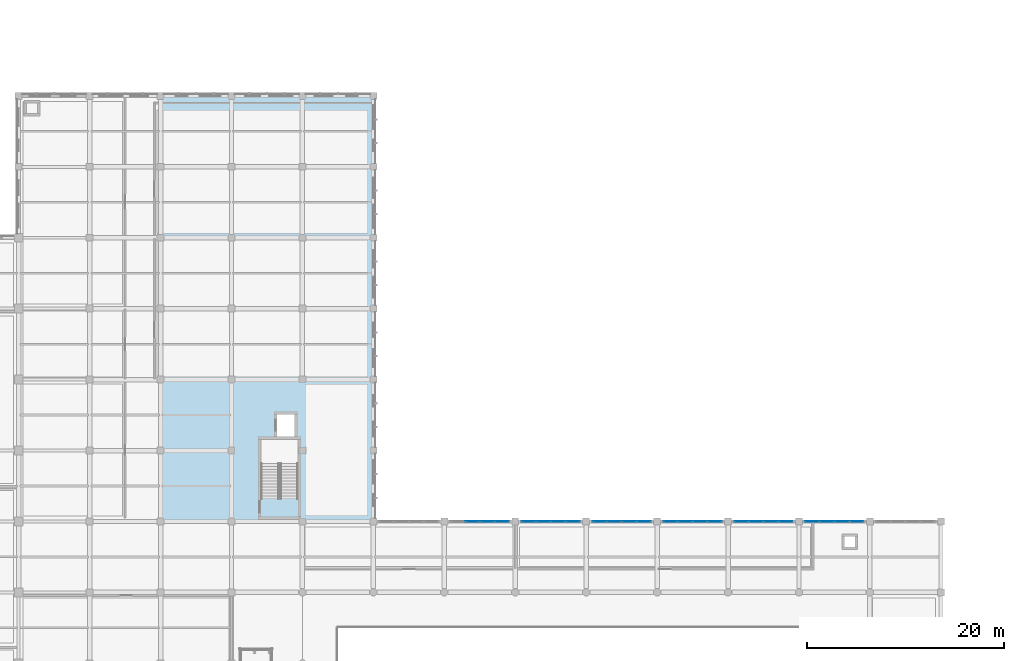
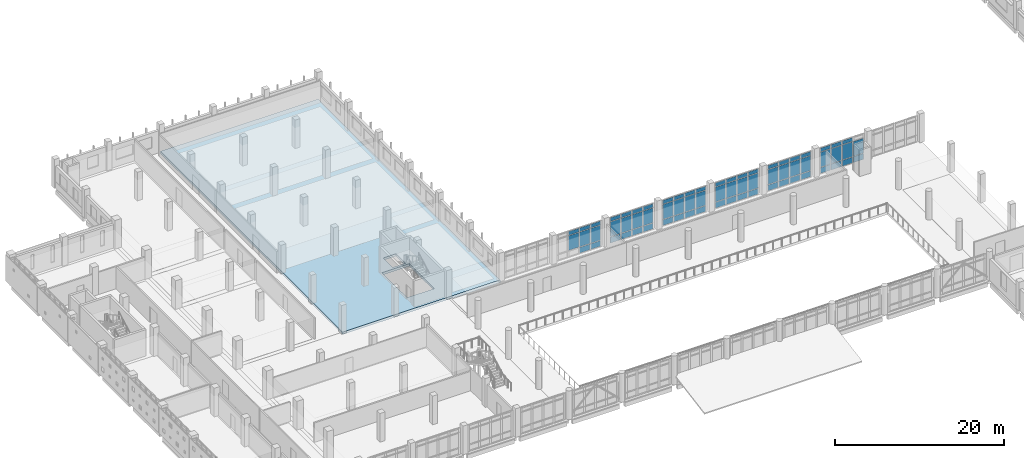
# One storey, part 27 of 57: 67 plates, 1 slab, 6 elements without a shape of their own.
"""IFC4 building model written with IfcOpenShell, lengths in metres."""

from ifc_helpers import new_model, si_unit, direction, frame, origin, origin_2d, place, context, subcontext, project, spatial, polyline, rectangle, outline, extrude, material, layer, layer_set, type_object, element, aggregate, save


model = new_model("IFC4")

# Units and contexts
model_context = context("Model", 3, precision=1e-05, world=origin(), true_north=direction((0.0, 1.0)))
body_context = subcontext(model_context, "Body", "Model", "MODEL_VIEW")
ifc_project = project(units=[si_unit("LENGTHUNIT", "METRE"), si_unit("AREAUNIT", "SQUARE_METRE"), si_unit("VOLUMEUNIT", "CUBIC_METRE"), si_unit("PLANEANGLEUNIT", "RADIAN"), si_unit("MASSUNIT", "GRAM", prefix="KILO")], contexts=[model_context])

# Site, building, storey
site_placement = place(None, origin())
site = spatial("IfcSite", under=ifc_project, at=site_placement, CompositionType="ELEMENT")
building_placement = place(site_placement, origin())
building = spatial("IfcBuilding", under=site, at=building_placement, Name="Valkovuoma Quantum and Materials Research Institute", CompositionType="ELEMENT")
storey_placement = place(building_placement, frame((0.0, 0.0, 4.800048828125)))
storey = spatial("IfcBuildingStorey", under=building, at=storey_placement, Name="L01", CompositionType="ELEMENT", Elevation=4.800048828125)

# Curtain wall, plates
ifc_material_1 = material(Name="Thermally broken aluminium and triple low-E glazing", Category="aluminium")
ifc_layer_1 = layer(ifc_material_1, 0.219970703125)
ifc_layer_set_1 = layer_set([ifc_layer_1], Name="Thermally broken aluminium and triple low-E glazing")
curtain_wall_type = type_object("IfcCurtainWallType", Name="CW-CW-02", PredefinedType="NOTDEFINED", material=ifc_layer_set_1)
curtain_wall_1_placement = place(storey_placement, origin())
curtain_wall_1 = element("IfcCurtainWall", 1, at=curtain_wall_1_placement, inside=storey, type_object=curtain_wall_type, Name="L01 curtain wall 172", PredefinedType="NOTDEFINED")
ifc_material_2 = material(Name="Triple low-E argon insulating glass", Category="glass")
ifc_layer_2 = layer(ifc_material_2, 0.0419921875)
ifc_layer_set_2 = layer_set([ifc_layer_2], Name="Triple low-E argon insulating glass")
plate_type = type_object("IfcPlateType", Name="CWPanel-CWP-02", PredefinedType="CURTAIN_PANEL", material=ifc_layer_set_2)
plate_1_placement = place(storey_placement, frame((60.445068359375, 64.800048828125, 0.9873046875), z_axis=(0.0, 0.0, 1.0), x_axis=(1.0, 0.0, 0.0)))
plate_1 = element("IfcPlate", 2, at=plate_1_placement, type_object=plate_type, Name="CW-02 panel 2.2", PredefinedType="CURTAIN_PANEL", context=body_context, shape_type="SweptSolid", body=[
    extrude(rectangle(XDim=1.429931640625, YDim=0.0419921875, at=origin_2d()), origin(), (0.0, 0.0, 1.0), 2.135009765625),
])
plate_2_placement = place(storey_placement, frame((60.445068359375, 64.800048828125, 3.197509765625), z_axis=(0.0, 0.0, 1.0), x_axis=(1.0, 0.0, 0.0)))
plate_2 = element("IfcPlate", 3, at=plate_2_placement, type_object=plate_type, Name="CW-02 panel 2.3", PredefinedType="CURTAIN_PANEL", context=body_context, shape_type="SweptSolid", body=[
    extrude(rectangle(XDim=1.429931640625, YDim=0.0419921875, at=origin_2d()), origin(), (0.0, 0.0, 1.0), 0.53759765625),
])
plate_3_placement = place(storey_placement, frame((61.955078125, 64.800048828125, 0.074951171875), z_axis=(0.0, 0.0, 1.0), x_axis=(1.0, 0.0, 0.0)))
plate_3 = element("IfcPlate", 4, at=plate_3_placement, type_object=plate_type, Name="CW-02 panel 3.1", PredefinedType="CURTAIN_PANEL", context=body_context, shape_type="SweptSolid", body=[
    extrude(rectangle(XDim=1.429931640625, YDim=0.0419921875, at=origin_2d()), origin(), (0.0, 0.0, 1.0), 0.83740234375),
])
plate_4_placement = place(storey_placement, frame((61.955078125, 64.800048828125, 0.9873046875), z_axis=(0.0, 0.0, 1.0), x_axis=(1.0, 0.0, 0.0)))
plate_4 = element("IfcPlate", 5, at=plate_4_placement, type_object=plate_type, Name="CW-02 panel 3.2", PredefinedType="CURTAIN_PANEL", context=body_context, shape_type="SweptSolid", body=[
    extrude(rectangle(XDim=1.429931640625, YDim=0.0419921875, at=origin_2d()), origin(), (0.0, 0.0, 1.0), 2.135009765625),
])
plate_5_placement = place(storey_placement, frame((61.955078125, 64.800048828125, 3.197509765625), z_axis=(0.0, 0.0, 1.0), x_axis=(1.0, 0.0, 0.0)))
plate_5 = element("IfcPlate", 6, at=plate_5_placement, type_object=plate_type, Name="CW-02 panel 3.3", PredefinedType="CURTAIN_PANEL", context=body_context, shape_type="SweptSolid", body=[
    extrude(rectangle(XDim=1.429931640625, YDim=0.0419921875, at=origin_2d()), origin(), (0.0, 0.0, 1.0), 0.53759765625),
])
plate_6_placement = place(storey_placement, frame((63.445068359375, 64.800048828125, 0.074951171875), z_axis=(0.0, 0.0, 1.0), x_axis=(1.0, 0.0, 0.0)))
plate_6 = element("IfcPlate", 7, at=plate_6_placement, type_object=plate_type, Name="CW-02 panel 4.1", PredefinedType="CURTAIN_PANEL", context=body_context, shape_type="SweptSolid", body=[
    extrude(rectangle(XDim=1.389892578125, YDim=0.0419921875, at=origin_2d()), origin(), (0.0, 0.0, 1.0), 0.83740234375),
])
plate_7_placement = place(storey_placement, frame((63.445068359375, 64.800048828125, 0.9873046875), z_axis=(0.0, 0.0, 1.0), x_axis=(1.0, 0.0, 0.0)))
plate_7 = element("IfcPlate", 8, at=plate_7_placement, type_object=plate_type, Name="CW-02 panel 4.2", PredefinedType="CURTAIN_PANEL", context=body_context, shape_type="SweptSolid", body=[
    extrude(rectangle(XDim=1.389892578125, YDim=0.0419921875, at=origin_2d()), origin(), (0.0, 0.0, 1.0), 2.135009765625),
])
plate_8_placement = place(storey_placement, frame((63.445068359375, 64.800048828125, 3.197509765625), z_axis=(0.0, 0.0, 1.0), x_axis=(1.0, 0.0, 0.0)))
plate_8 = element("IfcPlate", 9, at=plate_8_placement, type_object=plate_type, Name="CW-02 panel 4.3", PredefinedType="CURTAIN_PANEL", context=body_context, shape_type="SweptSolid", body=[
    extrude(rectangle(XDim=1.389892578125, YDim=0.0419921875, at=origin_2d()), origin(), (0.0, 0.0, 1.0), 0.53759765625),
])
aggregate(curtain_wall_1, [plate_1, plate_2, plate_3, plate_4, plate_5, plate_6, plate_7, plate_8])

curtain_wall_2_placement = place(storey_placement, origin())
curtain_wall_2 = element("IfcCurtainWall", 10, at=curtain_wall_2_placement, inside=storey, type_object=curtain_wall_type, Name="L01 curtain wall 173", PredefinedType="NOTDEFINED")
plate_9_placement = place(storey_placement, frame((66.155029296875, 64.800048828125, 0.074951171875), z_axis=(0.0, 0.0, 1.0), x_axis=(1.0, 0.0, 0.0)))
plate_9 = element("IfcPlate", 11, at=plate_9_placement, type_object=plate_type, Name="CW-02 panel 1.1", PredefinedType="CURTAIN_PANEL", context=body_context, shape_type="SweptSolid", body=[
    extrude(rectangle(XDim=1.389892578125, YDim=0.0419921875, at=origin_2d()), origin(), (0.0, 0.0, 1.0), 0.83740234375),
])
plate_10_placement = place(storey_placement, frame((66.155029296875, 64.800048828125, 0.9873046875), z_axis=(0.0, 0.0, 1.0), x_axis=(1.0, 0.0, 0.0)))
plate_10 = element("IfcPlate", 12, at=plate_10_placement, type_object=plate_type, Name="CW-02 panel 1.2", PredefinedType="CURTAIN_PANEL", context=body_context, shape_type="SweptSolid", body=[
    extrude(rectangle(XDim=1.389892578125, YDim=0.0419921875, at=origin_2d()), origin(), (0.0, 0.0, 1.0), 2.135009765625),
])
plate_11_placement = place(storey_placement, frame((66.155029296875, 64.800048828125, 3.197509765625), z_axis=(0.0, 0.0, 1.0), x_axis=(1.0, 0.0, 0.0)))
plate_11 = element("IfcPlate", 13, at=plate_11_placement, type_object=plate_type, Name="CW-02 panel 1.3", PredefinedType="CURTAIN_PANEL", context=body_context, shape_type="SweptSolid", body=[
    extrude(rectangle(XDim=1.389892578125, YDim=0.0419921875, at=origin_2d()), origin(), (0.0, 0.0, 1.0), 0.53759765625),
])
plate_12_placement = place(storey_placement, frame((67.64501953125, 64.800048828125, 0.074951171875), z_axis=(0.0, 0.0, 1.0), x_axis=(1.0, 0.0, 0.0)))
plate_12 = element("IfcPlate", 14, at=plate_12_placement, type_object=plate_type, Name="CW-02 panel 2.1", PredefinedType="CURTAIN_PANEL", context=body_context, shape_type="SweptSolid", body=[
    extrude(rectangle(XDim=1.429931640625, YDim=0.0419921875, at=origin_2d()), origin(), (0.0, 0.0, 1.0), 0.83740234375),
])
plate_13_placement = place(storey_placement, frame((67.64501953125, 64.800048828125, 0.9873046875), z_axis=(0.0, 0.0, 1.0), x_axis=(1.0, 0.0, 0.0)))
plate_13 = element("IfcPlate", 15, at=plate_13_placement, type_object=plate_type, Name="CW-02 panel 2.2", PredefinedType="CURTAIN_PANEL", context=body_context, shape_type="SweptSolid", body=[
    extrude(rectangle(XDim=1.429931640625, YDim=0.0419921875, at=origin_2d()), origin(), (0.0, 0.0, 1.0), 2.135009765625),
])
plate_14_placement = place(storey_placement, frame((67.64501953125, 64.800048828125, 3.197509765625), z_axis=(0.0, 0.0, 1.0), x_axis=(1.0, 0.0, 0.0)))
plate_14 = element("IfcPlate", 16, at=plate_14_placement, type_object=plate_type, Name="CW-02 panel 2.3", PredefinedType="CURTAIN_PANEL", context=body_context, shape_type="SweptSolid", body=[
    extrude(rectangle(XDim=1.429931640625, YDim=0.0419921875, at=origin_2d()), origin(), (0.0, 0.0, 1.0), 0.53759765625),
])
plate_15_placement = place(storey_placement, frame((69.155029296875, 64.800048828125, 0.074951171875), z_axis=(0.0, 0.0, 1.0), x_axis=(1.0, 0.0, 0.0)))
plate_15 = element("IfcPlate", 17, at=plate_15_placement, type_object=plate_type, Name="CW-02 panel 3.1", PredefinedType="CURTAIN_PANEL", context=body_context, shape_type="SweptSolid", body=[
    extrude(rectangle(XDim=1.429931640625, YDim=0.0419921875, at=origin_2d()), origin(), (0.0, 0.0, 1.0), 0.83740234375),
])
plate_16_placement = place(storey_placement, frame((69.155029296875, 64.800048828125, 0.9873046875), z_axis=(0.0, 0.0, 1.0), x_axis=(1.0, 0.0, 0.0)))
plate_16 = element("IfcPlate", 18, at=plate_16_placement, type_object=plate_type, Name="CW-02 panel 3.2", PredefinedType="CURTAIN_PANEL", context=body_context, shape_type="SweptSolid", body=[
    extrude(rectangle(XDim=1.429931640625, YDim=0.0419921875, at=origin_2d()), origin(), (0.0, 0.0, 1.0), 2.135009765625),
])
plate_17_placement = place(storey_placement, frame((69.155029296875, 64.800048828125, 3.197509765625), z_axis=(0.0, 0.0, 1.0), x_axis=(1.0, 0.0, 0.0)))
plate_17 = element("IfcPlate", 19, at=plate_17_placement, type_object=plate_type, Name="CW-02 panel 3.3", PredefinedType="CURTAIN_PANEL", context=body_context, shape_type="SweptSolid", body=[
    extrude(rectangle(XDim=1.429931640625, YDim=0.0419921875, at=origin_2d()), origin(), (0.0, 0.0, 1.0), 0.53759765625),
])
plate_18_placement = place(storey_placement, frame((70.64501953125, 64.800048828125, 0.074951171875), z_axis=(0.0, 0.0, 1.0), x_axis=(1.0, 0.0, 0.0)))
plate_18 = element("IfcPlate", 20, at=plate_18_placement, type_object=plate_type, Name="CW-02 panel 4.1", PredefinedType="CURTAIN_PANEL", context=body_context, shape_type="SweptSolid", body=[
    extrude(rectangle(XDim=1.389892578125, YDim=0.0419921875, at=origin_2d()), origin(), (0.0, 0.0, 1.0), 0.83740234375),
])
plate_19_placement = place(storey_placement, frame((70.64501953125, 64.800048828125, 0.9873046875), z_axis=(0.0, 0.0, 1.0), x_axis=(1.0, 0.0, 0.0)))
plate_19 = element("IfcPlate", 21, at=plate_19_placement, type_object=plate_type, Name="CW-02 panel 4.2", PredefinedType="CURTAIN_PANEL", context=body_context, shape_type="SweptSolid", body=[
    extrude(rectangle(XDim=1.389892578125, YDim=0.0419921875, at=origin_2d()), origin(), (0.0, 0.0, 1.0), 2.135009765625),
])
plate_20_placement = place(storey_placement, frame((70.64501953125, 64.800048828125, 3.197509765625), z_axis=(0.0, 0.0, 1.0), x_axis=(1.0, 0.0, 0.0)))
plate_20 = element("IfcPlate", 22, at=plate_20_placement, type_object=plate_type, Name="CW-02 panel 4.3", PredefinedType="CURTAIN_PANEL", context=body_context, shape_type="SweptSolid", body=[
    extrude(rectangle(XDim=1.389892578125, YDim=0.0419921875, at=origin_2d()), origin(), (0.0, 0.0, 1.0), 0.53759765625),
])
aggregate(curtain_wall_2, [plate_9, plate_10, plate_11, plate_12, plate_13, plate_14, plate_15, plate_16, plate_17, plate_18, plate_19, plate_20])

curtain_wall_3_placement = place(storey_placement, origin())
curtain_wall_3 = element("IfcCurtainWall", 23, at=curtain_wall_3_placement, inside=storey, type_object=curtain_wall_type, Name="L01 curtain wall 174", PredefinedType="NOTDEFINED")
plate_21_placement = place(storey_placement, frame((73.35498046875, 64.800048828125, 0.074951171875), z_axis=(0.0, 0.0, 1.0), x_axis=(1.0, 0.0, 0.0)))
plate_21 = element("IfcPlate", 24, at=plate_21_placement, type_object=plate_type, Name="CW-02 panel 1.1", PredefinedType="CURTAIN_PANEL", context=body_context, shape_type="SweptSolid", body=[
    extrude(rectangle(XDim=1.389892578125, YDim=0.0419921875, at=origin_2d()), origin(), (0.0, 0.0, 1.0), 0.83740234375),
])
plate_22_placement = place(storey_placement, frame((73.35498046875, 64.800048828125, 0.9873046875), z_axis=(0.0, 0.0, 1.0), x_axis=(1.0, 0.0, 0.0)))
plate_22 = element("IfcPlate", 25, at=plate_22_placement, type_object=plate_type, Name="CW-02 panel 1.2", PredefinedType="CURTAIN_PANEL", context=body_context, shape_type="SweptSolid", body=[
    extrude(rectangle(XDim=1.389892578125, YDim=0.0419921875, at=origin_2d()), origin(), (0.0, 0.0, 1.0), 2.135009765625),
])
plate_23_placement = place(storey_placement, frame((73.35498046875, 64.800048828125, 3.197509765625), z_axis=(0.0, 0.0, 1.0), x_axis=(1.0, 0.0, 0.0)))
plate_23 = element("IfcPlate", 26, at=plate_23_placement, type_object=plate_type, Name="CW-02 panel 1.3", PredefinedType="CURTAIN_PANEL", context=body_context, shape_type="SweptSolid", body=[
    extrude(rectangle(XDim=1.389892578125, YDim=0.0419921875, at=origin_2d()), origin(), (0.0, 0.0, 1.0), 0.53759765625),
])
plate_24_placement = place(storey_placement, frame((74.844970703125, 64.800048828125, 0.074951171875), z_axis=(0.0, 0.0, 1.0), x_axis=(1.0, 0.0, 0.0)))
plate_24 = element("IfcPlate", 27, at=plate_24_placement, type_object=plate_type, Name="CW-02 panel 2.1", PredefinedType="CURTAIN_PANEL", context=body_context, shape_type="SweptSolid", body=[
    extrude(rectangle(XDim=1.429931640625, YDim=0.0419921875, at=origin_2d()), origin(), (0.0, 0.0, 1.0), 0.83740234375),
])
plate_25_placement = place(storey_placement, frame((74.844970703125, 64.800048828125, 0.9873046875), z_axis=(0.0, 0.0, 1.0), x_axis=(1.0, 0.0, 0.0)))
plate_25 = element("IfcPlate", 28, at=plate_25_placement, type_object=plate_type, Name="CW-02 panel 2.2", PredefinedType="CURTAIN_PANEL", context=body_context, shape_type="SweptSolid", body=[
    extrude(rectangle(XDim=1.429931640625, YDim=0.0419921875, at=origin_2d()), origin(), (0.0, 0.0, 1.0), 2.135009765625),
])
plate_26_placement = place(storey_placement, frame((74.844970703125, 64.800048828125, 3.197509765625), z_axis=(0.0, 0.0, 1.0), x_axis=(1.0, 0.0, 0.0)))
plate_26 = element("IfcPlate", 29, at=plate_26_placement, type_object=plate_type, Name="CW-02 panel 2.3", PredefinedType="CURTAIN_PANEL", context=body_context, shape_type="SweptSolid", body=[
    extrude(rectangle(XDim=1.429931640625, YDim=0.0419921875, at=origin_2d()), origin(), (0.0, 0.0, 1.0), 0.53759765625),
])
plate_27_placement = place(storey_placement, frame((76.35498046875, 64.800048828125, 0.074951171875), z_axis=(0.0, 0.0, 1.0), x_axis=(1.0, 0.0, 0.0)))
plate_27 = element("IfcPlate", 30, at=plate_27_placement, type_object=plate_type, Name="CW-02 panel 3.1", PredefinedType="CURTAIN_PANEL", context=body_context, shape_type="SweptSolid", body=[
    extrude(rectangle(XDim=1.429931640625, YDim=0.0419921875, at=origin_2d()), origin(), (0.0, 0.0, 1.0), 0.83740234375),
])
plate_28_placement = place(storey_placement, frame((76.35498046875, 64.800048828125, 0.9873046875), z_axis=(0.0, 0.0, 1.0), x_axis=(1.0, 0.0, 0.0)))
plate_28 = element("IfcPlate", 31, at=plate_28_placement, type_object=plate_type, Name="CW-02 panel 3.2", PredefinedType="CURTAIN_PANEL", context=body_context, shape_type="SweptSolid", body=[
    extrude(rectangle(XDim=1.429931640625, YDim=0.0419921875, at=origin_2d()), origin(), (0.0, 0.0, 1.0), 2.135009765625),
])
plate_29_placement = place(storey_placement, frame((76.35498046875, 64.800048828125, 3.197509765625), z_axis=(0.0, 0.0, 1.0), x_axis=(1.0, 0.0, 0.0)))
plate_29 = element("IfcPlate", 32, at=plate_29_placement, type_object=plate_type, Name="CW-02 panel 3.3", PredefinedType="CURTAIN_PANEL", context=body_context, shape_type="SweptSolid", body=[
    extrude(rectangle(XDim=1.429931640625, YDim=0.0419921875, at=origin_2d()), origin(), (0.0, 0.0, 1.0), 0.53759765625),
])
plate_30_placement = place(storey_placement, frame((77.844970703125, 64.800048828125, 0.074951171875), z_axis=(0.0, 0.0, 1.0), x_axis=(1.0, 0.0, 0.0)))
plate_30 = element("IfcPlate", 33, at=plate_30_placement, type_object=plate_type, Name="CW-02 panel 4.1", PredefinedType="CURTAIN_PANEL", context=body_context, shape_type="SweptSolid", body=[
    extrude(rectangle(XDim=1.389892578125, YDim=0.0419921875, at=origin_2d()), origin(), (0.0, 0.0, 1.0), 0.83740234375),
])
plate_31_placement = place(storey_placement, frame((77.844970703125, 64.800048828125, 0.9873046875), z_axis=(0.0, 0.0, 1.0), x_axis=(1.0, 0.0, 0.0)))
plate_31 = element("IfcPlate", 34, at=plate_31_placement, type_object=plate_type, Name="CW-02 panel 4.2", PredefinedType="CURTAIN_PANEL", context=body_context, shape_type="SweptSolid", body=[
    extrude(rectangle(XDim=1.389892578125, YDim=0.0419921875, at=origin_2d()), origin(), (0.0, 0.0, 1.0), 2.135009765625),
])
plate_32_placement = place(storey_placement, frame((77.844970703125, 64.800048828125, 3.197509765625), z_axis=(0.0, 0.0, 1.0), x_axis=(1.0, 0.0, 0.0)))
plate_32 = element("IfcPlate", 35, at=plate_32_placement, type_object=plate_type, Name="CW-02 panel 4.3", PredefinedType="CURTAIN_PANEL", context=body_context, shape_type="SweptSolid", body=[
    extrude(rectangle(XDim=1.389892578125, YDim=0.0419921875, at=origin_2d()), origin(), (0.0, 0.0, 1.0), 0.53759765625),
])
aggregate(curtain_wall_3, [plate_21, plate_22, plate_23, plate_24, plate_25, plate_26, plate_27, plate_28, plate_29, plate_30, plate_31, plate_32])

curtain_wall_4_placement = place(storey_placement, origin())
curtain_wall_4 = element("IfcCurtainWall", 36, at=curtain_wall_4_placement, inside=storey, type_object=curtain_wall_type, Name="L01 curtain wall 175", PredefinedType="NOTDEFINED")
plate_33_placement = place(storey_placement, frame((80.554931640625, 64.800048828125, 0.074951171875), z_axis=(0.0, 0.0, 1.0), x_axis=(1.0, 0.0, 0.0)))
plate_33 = element("IfcPlate", 37, at=plate_33_placement, type_object=plate_type, Name="CW-02 panel 1.1", PredefinedType="CURTAIN_PANEL", context=body_context, shape_type="SweptSolid", body=[
    extrude(rectangle(XDim=1.389892578125, YDim=0.0419921875, at=origin_2d()), origin(), (0.0, 0.0, 1.0), 0.83740234375),
])
plate_34_placement = place(storey_placement, frame((80.554931640625, 64.800048828125, 0.9873046875), z_axis=(0.0, 0.0, 1.0), x_axis=(1.0, 0.0, 0.0)))
plate_34 = element("IfcPlate", 38, at=plate_34_placement, type_object=plate_type, Name="CW-02 panel 1.2", PredefinedType="CURTAIN_PANEL", context=body_context, shape_type="SweptSolid", body=[
    extrude(rectangle(XDim=1.389892578125, YDim=0.0419921875, at=origin_2d()), origin(), (0.0, 0.0, 1.0), 2.135009765625),
])
plate_35_placement = place(storey_placement, frame((80.554931640625, 64.800048828125, 3.197509765625), z_axis=(0.0, 0.0, 1.0), x_axis=(1.0, 0.0, 0.0)))
plate_35 = element("IfcPlate", 39, at=plate_35_placement, type_object=plate_type, Name="CW-02 panel 1.3", PredefinedType="CURTAIN_PANEL", context=body_context, shape_type="SweptSolid", body=[
    extrude(rectangle(XDim=1.389892578125, YDim=0.0419921875, at=origin_2d()), origin(), (0.0, 0.0, 1.0), 0.53759765625),
])
plate_36_placement = place(storey_placement, frame((82.044921875, 64.800048828125, 0.074951171875), z_axis=(0.0, 0.0, 1.0), x_axis=(1.0, 0.0, 0.0)))
plate_36 = element("IfcPlate", 40, at=plate_36_placement, type_object=plate_type, Name="CW-02 panel 2.1", PredefinedType="CURTAIN_PANEL", context=body_context, shape_type="SweptSolid", body=[
    extrude(rectangle(XDim=1.429931640625, YDim=0.0419921875, at=origin_2d()), origin(), (0.0, 0.0, 1.0), 0.83740234375),
])
plate_37_placement = place(storey_placement, frame((82.044921875, 64.800048828125, 0.9873046875), z_axis=(0.0, 0.0, 1.0), x_axis=(1.0, 0.0, 0.0)))
plate_37 = element("IfcPlate", 41, at=plate_37_placement, type_object=plate_type, Name="CW-02 panel 2.2", PredefinedType="CURTAIN_PANEL", context=body_context, shape_type="SweptSolid", body=[
    extrude(rectangle(XDim=1.429931640625, YDim=0.0419921875, at=origin_2d()), origin(), (0.0, 0.0, 1.0), 2.135009765625),
])
plate_38_placement = place(storey_placement, frame((82.044921875, 64.800048828125, 3.197509765625), z_axis=(0.0, 0.0, 1.0), x_axis=(1.0, 0.0, 0.0)))
plate_38 = element("IfcPlate", 42, at=plate_38_placement, type_object=plate_type, Name="CW-02 panel 2.3", PredefinedType="CURTAIN_PANEL", context=body_context, shape_type="SweptSolid", body=[
    extrude(rectangle(XDim=1.429931640625, YDim=0.0419921875, at=origin_2d()), origin(), (0.0, 0.0, 1.0), 0.53759765625),
])
plate_39_placement = place(storey_placement, frame((83.554931640625, 64.800048828125, 0.074951171875), z_axis=(0.0, 0.0, 1.0), x_axis=(1.0, 0.0, 0.0)))
plate_39 = element("IfcPlate", 43, at=plate_39_placement, type_object=plate_type, Name="CW-02 panel 3.1", PredefinedType="CURTAIN_PANEL", context=body_context, shape_type="SweptSolid", body=[
    extrude(rectangle(XDim=1.429931640625, YDim=0.0419921875, at=origin_2d()), origin(), (0.0, 0.0, 1.0), 0.83740234375),
])
plate_40_placement = place(storey_placement, frame((83.554931640625, 64.800048828125, 0.9873046875), z_axis=(0.0, 0.0, 1.0), x_axis=(1.0, 0.0, 0.0)))
plate_40 = element("IfcPlate", 44, at=plate_40_placement, type_object=plate_type, Name="CW-02 panel 3.2", PredefinedType="CURTAIN_PANEL", context=body_context, shape_type="SweptSolid", body=[
    extrude(rectangle(XDim=1.429931640625, YDim=0.0419921875, at=origin_2d()), origin(), (0.0, 0.0, 1.0), 2.135009765625),
])
plate_41_placement = place(storey_placement, frame((83.554931640625, 64.800048828125, 3.197509765625), z_axis=(0.0, 0.0, 1.0), x_axis=(1.0, 0.0, 0.0)))
plate_41 = element("IfcPlate", 45, at=plate_41_placement, type_object=plate_type, Name="CW-02 panel 3.3", PredefinedType="CURTAIN_PANEL", context=body_context, shape_type="SweptSolid", body=[
    extrude(rectangle(XDim=1.429931640625, YDim=0.0419921875, at=origin_2d()), origin(), (0.0, 0.0, 1.0), 0.53759765625),
])
plate_42_placement = place(storey_placement, frame((85.044921875, 64.800048828125, 0.074951171875), z_axis=(0.0, 0.0, 1.0), x_axis=(1.0, 0.0, 0.0)))
plate_42 = element("IfcPlate", 46, at=plate_42_placement, type_object=plate_type, Name="CW-02 panel 4.1", PredefinedType="CURTAIN_PANEL", context=body_context, shape_type="SweptSolid", body=[
    extrude(rectangle(XDim=1.389892578125, YDim=0.0419921875, at=origin_2d()), origin(), (0.0, 0.0, 1.0), 0.83740234375),
])
plate_43_placement = place(storey_placement, frame((85.044921875, 64.800048828125, 0.9873046875), z_axis=(0.0, 0.0, 1.0), x_axis=(1.0, 0.0, 0.0)))
plate_43 = element("IfcPlate", 47, at=plate_43_placement, type_object=plate_type, Name="CW-02 panel 4.2", PredefinedType="CURTAIN_PANEL", context=body_context, shape_type="SweptSolid", body=[
    extrude(rectangle(XDim=1.389892578125, YDim=0.0419921875, at=origin_2d()), origin(), (0.0, 0.0, 1.0), 2.135009765625),
])
plate_44_placement = place(storey_placement, frame((85.044921875, 64.800048828125, 3.197509765625), z_axis=(0.0, 0.0, 1.0), x_axis=(1.0, 0.0, 0.0)))
plate_44 = element("IfcPlate", 48, at=plate_44_placement, type_object=plate_type, Name="CW-02 panel 4.3", PredefinedType="CURTAIN_PANEL", context=body_context, shape_type="SweptSolid", body=[
    extrude(rectangle(XDim=1.389892578125, YDim=0.0419921875, at=origin_2d()), origin(), (0.0, 0.0, 1.0), 0.53759765625),
])
aggregate(curtain_wall_4, [plate_33, plate_34, plate_35, plate_36, plate_37, plate_38, plate_39, plate_40, plate_41, plate_42, plate_43, plate_44])

curtain_wall_5_placement = place(storey_placement, origin())
curtain_wall_5 = element("IfcCurtainWall", 49, at=curtain_wall_5_placement, inside=storey, type_object=curtain_wall_type, Name="L01 curtain wall 176", PredefinedType="NOTDEFINED")
plate_45_placement = place(storey_placement, frame((87.7548828125, 64.800048828125, 0.074951171875), z_axis=(0.0, 0.0, 1.0), x_axis=(1.0, 0.0, 0.0)))
plate_45 = element("IfcPlate", 50, at=plate_45_placement, type_object=plate_type, Name="CW-02 panel 1.1", PredefinedType="CURTAIN_PANEL", context=body_context, shape_type="SweptSolid", body=[
    extrude(rectangle(XDim=1.389892578125, YDim=0.0419921875, at=origin_2d()), origin(), (0.0, 0.0, 1.0), 0.83740234375),
])
plate_46_placement = place(storey_placement, frame((87.7548828125, 64.800048828125, 0.9873046875), z_axis=(0.0, 0.0, 1.0), x_axis=(1.0, 0.0, 0.0)))
plate_46 = element("IfcPlate", 51, at=plate_46_placement, type_object=plate_type, Name="CW-02 panel 1.2", PredefinedType="CURTAIN_PANEL", context=body_context, shape_type="SweptSolid", body=[
    extrude(rectangle(XDim=1.389892578125, YDim=0.0419921875, at=origin_2d()), origin(), (0.0, 0.0, 1.0), 2.135009765625),
])
plate_47_placement = place(storey_placement, frame((87.7548828125, 64.800048828125, 3.197509765625), z_axis=(0.0, 0.0, 1.0), x_axis=(1.0, 0.0, 0.0)))
plate_47 = element("IfcPlate", 52, at=plate_47_placement, type_object=plate_type, Name="CW-02 panel 1.3", PredefinedType="CURTAIN_PANEL", context=body_context, shape_type="SweptSolid", body=[
    extrude(rectangle(XDim=1.389892578125, YDim=0.0419921875, at=origin_2d()), origin(), (0.0, 0.0, 1.0), 0.53759765625),
])
plate_48_placement = place(storey_placement, frame((89.2451171875, 64.800048828125, 0.074951171875), z_axis=(0.0, 0.0, 1.0), x_axis=(1.0, 0.0, 0.0)))
plate_48 = element("IfcPlate", 53, at=plate_48_placement, type_object=plate_type, Name="CW-02 panel 2.1", PredefinedType="CURTAIN_PANEL", context=body_context, shape_type="SweptSolid", body=[
    extrude(rectangle(XDim=1.429931640625, YDim=0.0419921875, at=origin_2d()), origin(), (0.0, 0.0, 1.0), 0.83740234375),
])
plate_49_placement = place(storey_placement, frame((89.2451171875, 64.800048828125, 0.9873046875), z_axis=(0.0, 0.0, 1.0), x_axis=(1.0, 0.0, 0.0)))
plate_49 = element("IfcPlate", 54, at=plate_49_placement, type_object=plate_type, Name="CW-02 panel 2.2", PredefinedType="CURTAIN_PANEL", context=body_context, shape_type="SweptSolid", body=[
    extrude(rectangle(XDim=1.429931640625, YDim=0.0419921875, at=origin_2d()), origin(), (0.0, 0.0, 1.0), 2.135009765625),
])
plate_50_placement = place(storey_placement, frame((89.2451171875, 64.800048828125, 3.197509765625), z_axis=(0.0, 0.0, 1.0), x_axis=(1.0, 0.0, 0.0)))
plate_50 = element("IfcPlate", 55, at=plate_50_placement, type_object=plate_type, Name="CW-02 panel 2.3", PredefinedType="CURTAIN_PANEL", context=body_context, shape_type="SweptSolid", body=[
    extrude(rectangle(XDim=1.429931640625, YDim=0.0419921875, at=origin_2d()), origin(), (0.0, 0.0, 1.0), 0.53759765625),
])
plate_51_placement = place(storey_placement, frame((90.7548828125, 64.800048828125, 0.074951171875), z_axis=(0.0, 0.0, 1.0), x_axis=(1.0, 0.0, 0.0)))
plate_51 = element("IfcPlate", 56, at=plate_51_placement, type_object=plate_type, Name="CW-02 panel 3.1", PredefinedType="CURTAIN_PANEL", context=body_context, shape_type="SweptSolid", body=[
    extrude(rectangle(XDim=1.429931640625, YDim=0.0419921875, at=origin_2d()), origin(), (0.0, 0.0, 1.0), 0.83740234375),
])
plate_52_placement = place(storey_placement, frame((90.7548828125, 64.800048828125, 0.9873046875), z_axis=(0.0, 0.0, 1.0), x_axis=(1.0, 0.0, 0.0)))
plate_52 = element("IfcPlate", 57, at=plate_52_placement, type_object=plate_type, Name="CW-02 panel 3.2", PredefinedType="CURTAIN_PANEL", context=body_context, shape_type="SweptSolid", body=[
    extrude(rectangle(XDim=1.429931640625, YDim=0.0419921875, at=origin_2d()), origin(), (0.0, 0.0, 1.0), 2.135009765625),
])
plate_53_placement = place(storey_placement, frame((90.7548828125, 64.800048828125, 3.197509765625), z_axis=(0.0, 0.0, 1.0), x_axis=(1.0, 0.0, 0.0)))
plate_53 = element("IfcPlate", 58, at=plate_53_placement, type_object=plate_type, Name="CW-02 panel 3.3", PredefinedType="CURTAIN_PANEL", context=body_context, shape_type="SweptSolid", body=[
    extrude(rectangle(XDim=1.429931640625, YDim=0.0419921875, at=origin_2d()), origin(), (0.0, 0.0, 1.0), 0.53759765625),
])
plate_54_placement = place(storey_placement, frame((92.2451171875, 64.800048828125, 0.074951171875), z_axis=(0.0, 0.0, 1.0), x_axis=(1.0, 0.0, 0.0)))
plate_54 = element("IfcPlate", 59, at=plate_54_placement, type_object=plate_type, Name="CW-02 panel 4.1", PredefinedType="CURTAIN_PANEL", context=body_context, shape_type="SweptSolid", body=[
    extrude(rectangle(XDim=1.389892578125, YDim=0.0419921875, at=origin_2d()), origin(), (0.0, 0.0, 1.0), 0.83740234375),
])
plate_55_placement = place(storey_placement, frame((92.2451171875, 64.800048828125, 0.9873046875), z_axis=(0.0, 0.0, 1.0), x_axis=(1.0, 0.0, 0.0)))
plate_55 = element("IfcPlate", 60, at=plate_55_placement, type_object=plate_type, Name="CW-02 panel 4.2", PredefinedType="CURTAIN_PANEL", context=body_context, shape_type="SweptSolid", body=[
    extrude(rectangle(XDim=1.389892578125, YDim=0.0419921875, at=origin_2d()), origin(), (0.0, 0.0, 1.0), 2.135009765625),
])
plate_56_placement = place(storey_placement, frame((92.2451171875, 64.800048828125, 3.197509765625), z_axis=(0.0, 0.0, 1.0), x_axis=(1.0, 0.0, 0.0)))
plate_56 = element("IfcPlate", 61, at=plate_56_placement, type_object=plate_type, Name="CW-02 panel 4.3", PredefinedType="CURTAIN_PANEL", context=body_context, shape_type="SweptSolid", body=[
    extrude(rectangle(XDim=1.389892578125, YDim=0.0419921875, at=origin_2d()), origin(), (0.0, 0.0, 1.0), 0.53759765625),
])
aggregate(curtain_wall_5, [plate_45, plate_46, plate_47, plate_48, plate_49, plate_50, plate_51, plate_52, plate_53, plate_54, plate_55, plate_56])

curtain_wall_6_placement = place(storey_placement, origin())
curtain_wall_6 = element("IfcCurtainWall", 62, at=curtain_wall_6_placement, inside=storey, type_object=curtain_wall_type, Name="L01 curtain wall 177", PredefinedType="NOTDEFINED")
plate_57_placement = place(storey_placement, frame((94.955078125, 64.800048828125, 0.074951171875), z_axis=(0.0, 0.0, 1.0), x_axis=(1.0, 0.0, 0.0)))
plate_57 = element("IfcPlate", 63, at=plate_57_placement, type_object=plate_type, Name="CW-02 panel 1.1", PredefinedType="CURTAIN_PANEL", context=body_context, shape_type="SweptSolid", body=[
    extrude(rectangle(XDim=1.389892578125, YDim=0.0419921875, at=origin_2d()), origin(), (0.0, 0.0, 1.0), 0.83740234375),
])
plate_58_placement = place(storey_placement, frame((94.955078125, 64.800048828125, 0.9873046875), z_axis=(0.0, 0.0, 1.0), x_axis=(1.0, 0.0, 0.0)))
plate_58 = element("IfcPlate", 64, at=plate_58_placement, type_object=plate_type, Name="CW-02 panel 1.2", PredefinedType="CURTAIN_PANEL", context=body_context, shape_type="SweptSolid", body=[
    extrude(rectangle(XDim=1.389892578125, YDim=0.0419921875, at=origin_2d()), origin(), (0.0, 0.0, 1.0), 2.135009765625),
])
plate_59_placement = place(storey_placement, frame((94.955078125, 64.800048828125, 3.197509765625), z_axis=(0.0, 0.0, 1.0), x_axis=(1.0, 0.0, 0.0)))
plate_59 = element("IfcPlate", 65, at=plate_59_placement, type_object=plate_type, Name="CW-02 panel 1.3", PredefinedType="CURTAIN_PANEL", context=body_context, shape_type="SweptSolid", body=[
    extrude(rectangle(XDim=1.389892578125, YDim=0.0419921875, at=origin_2d()), origin(), (0.0, 0.0, 1.0), 0.53759765625),
])
plate_60_placement = place(storey_placement, frame((96.445068359375, 64.800048828125, 0.074951171875), z_axis=(0.0, 0.0, 1.0), x_axis=(1.0, 0.0, 0.0)))
plate_60 = element("IfcPlate", 66, at=plate_60_placement, type_object=plate_type, Name="CW-02 panel 2.1", PredefinedType="CURTAIN_PANEL", context=body_context, shape_type="SweptSolid", body=[
    extrude(rectangle(XDim=1.429931640625, YDim=0.0419921875, at=origin_2d()), origin(), (0.0, 0.0, 1.0), 0.83740234375),
])
plate_61_placement = place(storey_placement, frame((96.445068359375, 64.800048828125, 0.9873046875), z_axis=(0.0, 0.0, 1.0), x_axis=(1.0, 0.0, 0.0)))
plate_61 = element("IfcPlate", 67, at=plate_61_placement, type_object=plate_type, Name="CW-02 panel 2.2", PredefinedType="CURTAIN_PANEL", context=body_context, shape_type="SweptSolid", body=[
    extrude(rectangle(XDim=1.429931640625, YDim=0.0419921875, at=origin_2d()), origin(), (0.0, 0.0, 1.0), 2.135009765625),
])
plate_62_placement = place(storey_placement, frame((96.445068359375, 64.800048828125, 3.197509765625), z_axis=(0.0, 0.0, 1.0), x_axis=(1.0, 0.0, 0.0)))
plate_62 = element("IfcPlate", 68, at=plate_62_placement, type_object=plate_type, Name="CW-02 panel 2.3", PredefinedType="CURTAIN_PANEL", context=body_context, shape_type="SweptSolid", body=[
    extrude(rectangle(XDim=1.429931640625, YDim=0.0419921875, at=origin_2d()), origin(), (0.0, 0.0, 1.0), 0.53759765625),
])
plate_63_placement = place(storey_placement, frame((97.955078125, 64.800048828125, 0.074951171875), z_axis=(0.0, 0.0, 1.0), x_axis=(1.0, 0.0, 0.0)))
plate_63 = element("IfcPlate", 69, at=plate_63_placement, type_object=plate_type, Name="CW-02 panel 3.1", PredefinedType="CURTAIN_PANEL", context=body_context, shape_type="SweptSolid", body=[
    extrude(rectangle(XDim=1.429931640625, YDim=0.0419921875, at=origin_2d()), origin(), (0.0, 0.0, 1.0), 0.83740234375),
])
plate_64_placement = place(storey_placement, frame((97.955078125, 64.800048828125, 0.9873046875), z_axis=(0.0, 0.0, 1.0), x_axis=(1.0, 0.0, 0.0)))
plate_64 = element("IfcPlate", 70, at=plate_64_placement, type_object=plate_type, Name="CW-02 panel 3.2", PredefinedType="CURTAIN_PANEL", context=body_context, shape_type="SweptSolid", body=[
    extrude(rectangle(XDim=1.429931640625, YDim=0.0419921875, at=origin_2d()), origin(), (0.0, 0.0, 1.0), 2.135009765625),
])
plate_65_placement = place(storey_placement, frame((97.955078125, 64.800048828125, 3.197509765625), z_axis=(0.0, 0.0, 1.0), x_axis=(1.0, 0.0, 0.0)))
plate_65 = element("IfcPlate", 71, at=plate_65_placement, type_object=plate_type, Name="CW-02 panel 3.3", PredefinedType="CURTAIN_PANEL", context=body_context, shape_type="SweptSolid", body=[
    extrude(rectangle(XDim=1.429931640625, YDim=0.0419921875, at=origin_2d()), origin(), (0.0, 0.0, 1.0), 0.53759765625),
])
plate_66_placement = place(storey_placement, frame((99.445068359375, 64.800048828125, 0.074951171875), z_axis=(0.0, 0.0, 1.0), x_axis=(1.0, 0.0, 0.0)))
plate_66 = element("IfcPlate", 72, at=plate_66_placement, type_object=plate_type, Name="CW-02 panel 4.1", PredefinedType="CURTAIN_PANEL", context=body_context, shape_type="SweptSolid", body=[
    extrude(rectangle(XDim=1.389892578125, YDim=0.0419921875, at=origin_2d()), origin(), (0.0, 0.0, 1.0), 0.83740234375),
])
plate_67_placement = place(storey_placement, frame((99.445068359375, 64.800048828125, 0.9873046875), z_axis=(0.0, 0.0, 1.0), x_axis=(1.0, 0.0, 0.0)))
plate_67 = element("IfcPlate", 73, at=plate_67_placement, type_object=plate_type, Name="CW-02 panel 4.2", PredefinedType="CURTAIN_PANEL", context=body_context, shape_type="SweptSolid", body=[
    extrude(rectangle(XDim=1.389892578125, YDim=0.0419921875, at=origin_2d()), origin(), (0.0, 0.0, 1.0), 2.135009765625),
])
aggregate(curtain_wall_6, [plate_57, plate_58, plate_59, plate_60, plate_61, plate_62, plate_63, plate_64, plate_65, plate_66, plate_67])

# Slab
ifc_material_3 = material(Name="Concrete C40/50", Category="concrete")
ifc_layer_3 = layer(ifc_material_3, 0.35009765625)
ifc_layer_set_3 = layer_set([ifc_layer_3], Name="Concrete C40/50")
slab_type = type_object("IfcSlabType", Name="Slab-SL-FL350", PredefinedType="FLOOR", material=ifc_layer_set_3)
slab_placement = place(storey_placement, frame((0.0, 0.0, -0.35009765625)))
element("IfcSlab", 74, at=slab_placement, inside=storey, type_object=slab_type, Name="L01 vol3_cleanroom structural slab 2", PredefinedType="FLOOR", context=body_context, shape_type="SweptSolid", body=[
    extrude(outline(polyline([(28.800048828125, 64.800048828125), (50.39990234375, 64.800048828125), (50.39990234375, 108.0), (28.800048828125, 108.0), (28.800048828125, 64.800048828125)]), holes=[polyline([(39.0, 67.159912109375), (42.75, 67.159912109375), (42.75, 73.10009765625), (39.0, 73.10009765625), (39.0, 67.159912109375)]), polyline([(40.6201171875, 73.419921875), (42.3798828125, 73.419921875), (42.3798828125, 75.679931640625), (40.6201171875, 75.679931640625), (40.6201171875, 73.419921875)])]), origin(), (0.0, 0.0, 1.0), 0.35009765625),
])

save(model, "model.ifc")
